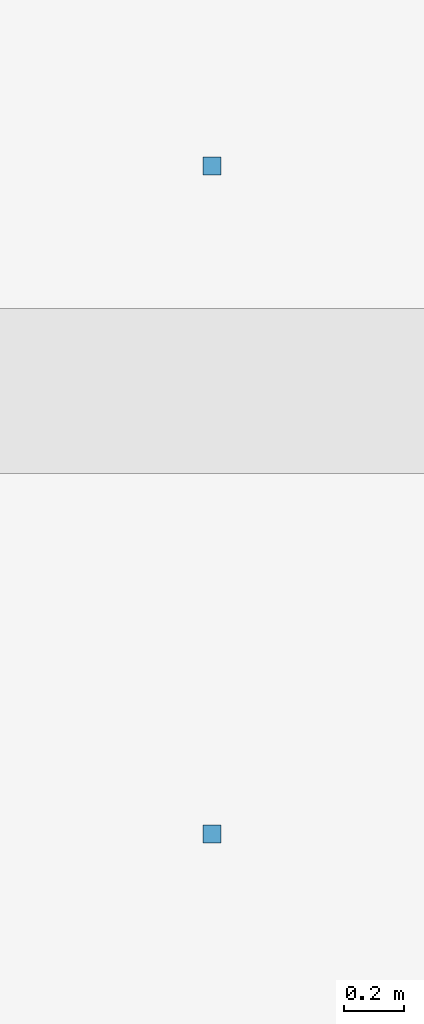
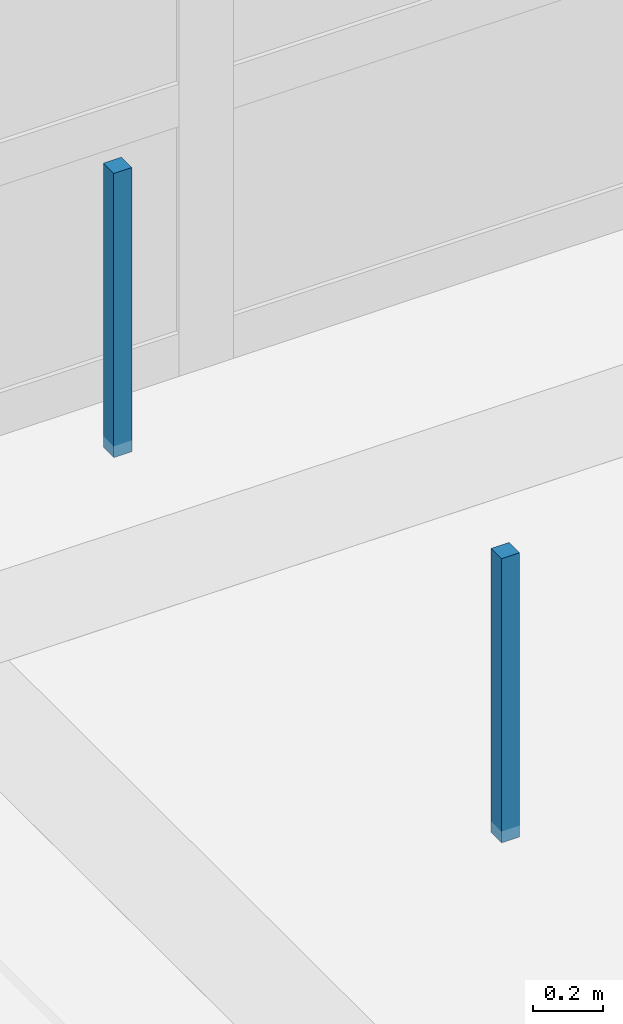
# One storey, part 87 of 140: 2 discrete accessories.
"""IFC4 building model written with IfcOpenShell, lengths in metres."""

from ifc_helpers import new_model, si_unit, direction, frame, origin, origin_2d, place, context, subcontext, project, spatial, rectangle, extrude, material, type_object, element, save


model = new_model("IFC4")

# Units and contexts
model_context = context("Model", 3, precision=1e-05, world=origin(), true_north=direction((0.0, 1.0)))
body_context = subcontext(model_context, "Body", "Model", "MODEL_VIEW")
ifc_project = project(units=[si_unit("LENGTHUNIT", "METRE"), si_unit("AREAUNIT", "SQUARE_METRE"), si_unit("VOLUMEUNIT", "CUBIC_METRE"), si_unit("PLANEANGLEUNIT", "RADIAN"), si_unit("MASSUNIT", "GRAM", prefix="KILO")], contexts=[model_context])

# Site, building, storey
site_placement = place(None, origin())
site = spatial("IfcSite", under=ifc_project, at=site_placement, CompositionType="ELEMENT")
building_placement = place(site_placement, origin())
building = spatial("IfcBuilding", under=site, at=building_placement, Name="Telukmera Botanical Conservatory", CompositionType="ELEMENT")
storey_placement = place(building_placement, origin())
storey = spatial("IfcBuildingStorey", under=building, at=storey_placement, Name="L00", CompositionType="ELEMENT", Elevation=0.0)

# Discrete accessories
ifc_material = material(Name="Steel S355", Category="steel")
discrete_accessory_type = type_object("IfcDiscreteAccessoryType", Name="ACC-CEIL-HGR", PredefinedType="BRACKET", material=ifc_material)
for number, where, z_axis, x_axis, name in (
    (1, (77.76708984375, 41.324951171875, 4.2099609375), (0.0, 0.0, 1.0), (1.0, 0.0, 0.0), "L00 Suspended Ceiling Hanger Rod 084-1"),
    (2, (77.76708984375, 43.550048828125, 4.2099609375), (0.0, 0.0, 1.0), (1.0, 0.0, 0.0), "L00 Suspended Ceiling Hanger Rod 084-2"),
):
    element("IfcDiscreteAccessory", number, at=place(storey_placement, frame(where, z_axis=z_axis, x_axis=x_axis)), inside=storey, type_object=discrete_accessory_type, Name=name, PredefinedType="BRACKET", context=body_context, shape_type="SweptSolid", body=[
        extrude(rectangle(XDim=0.06005859375, YDim=0.06005859375, at=origin_2d()), origin(), (0.0, 0.0, 1.0), 0.9951171875),
    ])

save(model, "model.ifc")
